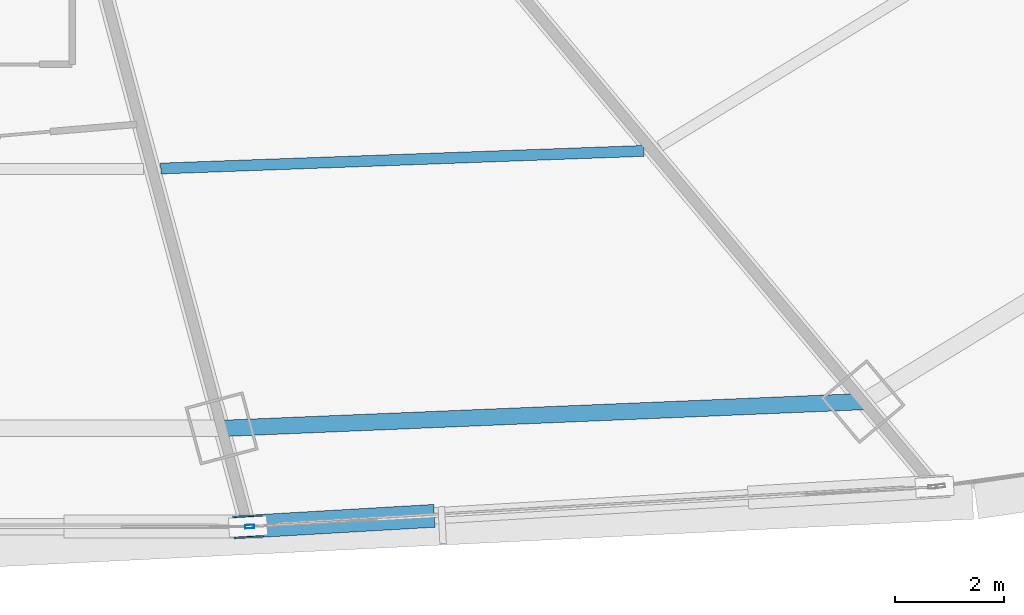
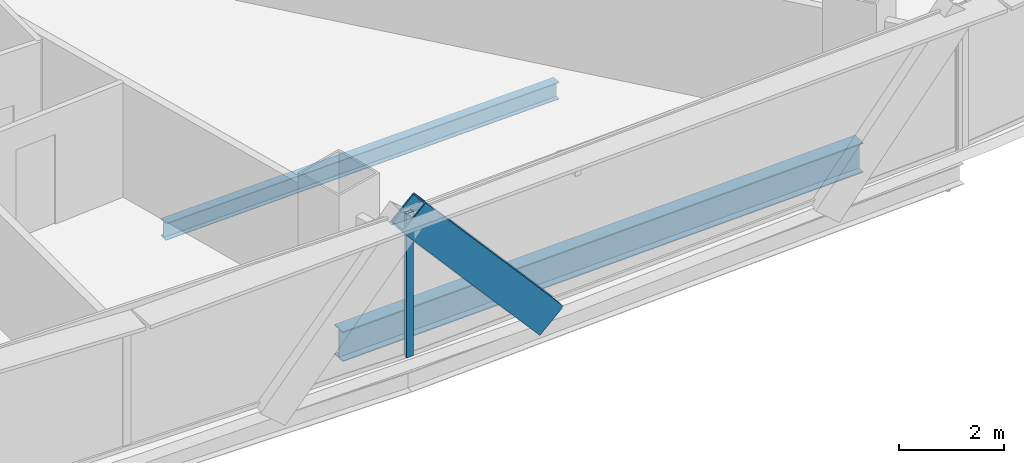
# One storey, part 10 of 38: 2 beams, 2 members, 1 element without a shape of its own.
"""IFC4 building model written with IfcOpenShell, lengths in metres."""

from ifc_helpers import new_model, si_unit, direction, frame, origin, origin_2d, place, context, subcontext, project, spatial, hollow_rectangle, i_section, extrude, source, transform, mapped, material, layer, layer_set, material_profile, profile_set, type_object, element, aggregate, save


model = new_model("IFC4")

# Units and contexts
model_context = context("Model", 3, precision=1e-05, world=origin(), true_north=direction((0.0, 1.0)))
body_context = subcontext(model_context, "Body", "Model", "MODEL_VIEW")
ifc_project = project(units=[si_unit("LENGTHUNIT", "METRE"), si_unit("AREAUNIT", "SQUARE_METRE"), si_unit("VOLUMEUNIT", "CUBIC_METRE"), si_unit("PLANEANGLEUNIT", "RADIAN"), si_unit("MASSUNIT", "GRAM", prefix="KILO"), si_unit("THERMODYNAMICTEMPERATUREUNIT", "KELVIN"), si_unit("POWERUNIT", "WATT")], contexts=[model_context])

# Site, building, storey
site_placement = place(None, origin())
site = spatial("IfcSite", under=ifc_project, at=site_placement, CompositionType="ELEMENT")
building_placement = place(site_placement, origin())
building = spatial("IfcBuilding", under=site, at=building_placement, Name="Yunzhuo Pagoda Commons", CompositionType="ELEMENT")
storey_placement = place(building_placement, frame((0.0, 0.0, 30.39990234375)))
storey = spatial("IfcBuildingStorey", under=building, at=storey_placement, Name="L07", CompositionType="ELEMENT", Elevation=30.39990234375)

# Beams
ifc_material_1 = material(Name="Structural steel Q355B", Category="steel")
ifc_material_profile_1 = material_profile(ifc_material_1, i_section(OverallWidth=0.300048828125, OverallDepth=0.699951171875, WebThickness=0.012939453125, FlangeThickness=0.02392578125, at=origin_2d()), Name="Structural steel Q355B")
ifc_profile_set_1 = profile_set([ifc_material_profile_1], Name="Structural steel Q355B")
beam_type_1 = type_object("IfcBeamType", Name="B-RG1 Beam HN 700x300x13x24", PredefinedType="BEAM", material=ifc_profile_set_1)
shared_shape_1 = source(origin(), body_context, "Body", "SweptSolid", [
    extrude(i_section(OverallWidth=0.300048828125, OverallDepth=0.699951171875, WebThickness=0.012939453125, FlangeThickness=0.02392578125, at=origin_2d()), origin(), (0.0, 0.0, 1.0), 11.7900390625),
])
beam_1_placement = place(storey_placement, frame((53.72021484375, 12.35205078125, -0.60986328125), z_axis=(0.99912739354, 0.041766631146, 0.0), x_axis=(-0.041766631146, 0.99912739354, 0.0)))
element("IfcBeam", 1, at=beam_1_placement, inside=storey, type_object=beam_type_1, Name="L07 column-ring beam 3", PredefinedType="BEAM", context=body_context, shape_type="MappedRepresentation", body=[
    mapped(shared_shape_1, transform((0.0, 0.0, 0.0), scale=1.0)),
])
ifc_material_profile_2 = material_profile(ifc_material_1, i_section(OverallWidth=0.199951171875, OverallDepth=0.39990234375, WebThickness=0.008056640625, FlangeThickness=0.012939453125, at=origin_2d()), Name="Structural steel Q355B")
ifc_profile_set_2 = profile_set([ifc_material_profile_2], Name="Structural steel Q355B")
beam_type_2 = type_object("IfcBeamType", Name="B-JS1 Joist HN 400x200x8x13", PredefinedType="JOIST", material=ifc_profile_set_2)
shared_shape_2 = source(origin(), body_context, "Body", "SweptSolid", [
    extrude(i_section(OverallWidth=0.199951171875, OverallDepth=0.39990234375, WebThickness=0.008056640625, FlangeThickness=0.012939453125, at=origin_2d()), origin(), (0.0, 0.0, 1.0), 8.876953125),
])
beam_2_placement = place(storey_placement, frame((52.601806640625, 17.125, -0.4599609375), z_axis=(0.999335806416, 0.036440993601, 0.0), x_axis=(-0.036440993601, 0.999335806416, 0.0)))
element("IfcBeam", 2, at=beam_2_placement, inside=storey, type_object=beam_type_2, Name="L07 composite ring joist 2.3", PredefinedType="JOIST", context=body_context, shape_type="MappedRepresentation", body=[
    mapped(shared_shape_2, transform((0.0, 0.0, 0.0), scale=1.0)),
])

# Member
ifc_material_2 = material(Name="Structural steel Q420B", Category="steel")
ifc_material_profile_3 = material_profile(ifc_material_2, hollow_rectangle(XDim=0.419921875, YDim=0.719970703125, WallThickness=0.028076171875, at=origin_2d()), Name="Structural steel Q420B")
ifc_profile_set_3 = profile_set([ifc_material_profile_3], Name="Structural steel Q420B")
member_type_1 = type_object("IfcMemberType", Name="M-DL1 Brace BOX 720x420x28", PredefinedType="BRACE", material=ifc_profile_set_3)
shared_shape_3 = source(origin(), body_context, "Body", "SweptSolid", [
    extrude(hollow_rectangle(XDim=0.419921875, YDim=0.719970703125, WallThickness=0.028076171875, at=origin_2d()), origin(), (0.0, 0.0, 1.0), 4.8115234375),
])
member_1_placement = place(storey_placement, frame((57.35595703125, 10.73095703125, -0.260009765625), z_axis=(-0.655171841053, -0.038005243878, 0.754523333058), x_axis=(0.05791070349, -0.998321766978, 0.0)))
element("IfcMember", 3, at=member_1_placement, inside=storey, type_object=member_type_1, Name="L07 facade diamond brace F1.3L", PredefinedType="BRACE", context=body_context, shape_type="MappedRepresentation", body=[
    mapped(shared_shape_3, transform((0.0, 0.0, 0.0), scale=1.0)),
])

# Curtain wall, member
ifc_material_3 = material(Name="Anodized aluminium 6063-T6", Category="aluminium")
ifc_layer = layer(ifc_material_3, 0.1650390625)
ifc_layer_set = layer_set([ifc_layer], Name="Anodized aluminium 6063-T6")
curtain_wall_type = type_object("IfcCurtainWallType", Name="CW-LOW Low-Zone Ribbon Curtain Wall", PredefinedType="NOTDEFINED", material=ifc_layer_set)
curtain_wall_placement = place(storey_placement, origin())
curtain_wall = element("IfcCurtainWall", 4, at=curtain_wall_placement, inside=storey, type_object=curtain_wall_type, Name="L07 curtain wall CW-L07-F1B4", PredefinedType="NOTDEFINED")
ifc_material_profile_4 = material_profile(ifc_material_3, hollow_rectangle(XDim=0.06494140625, YDim=0.1650390625, WallThickness=0.00390625, at=origin_2d()), Name="Anodized aluminium 6063-T6")
ifc_profile_set_4 = profile_set([ifc_material_profile_4], Name="Anodized aluminium 6063-T6")
member_type_2 = type_object("IfcMemberType", Name="CW-LOW-M Mullion RHS 165x65x4", PredefinedType="MULLION", material=ifc_profile_set_4)
shared_shape_4 = source(origin(), body_context, "Body", "SweptSolid", [
    extrude(hollow_rectangle(XDim=0.06494140625, YDim=0.1650390625, WallThickness=0.00390625, at=origin_2d()), origin(), (0.0, 0.0, 1.0), 3.370361328125),
])
member_2_placement = place(storey_placement, frame((54.23583984375, 10.550048828125, 0.0), z_axis=(0.0, 0.0, 1.0), x_axis=(-0.05789866519, 0.998322465223, 0.0)))
member_2 = element("IfcMember", 5, at=member_2_placement, type_object=member_type_2, Name="CW mullion 1", PredefinedType="MULLION", context=body_context, shape_type="MappedRepresentation", body=[
    mapped(shared_shape_4, transform((0.0, 0.0, 0.0), scale=1.0)),
])
aggregate(curtain_wall, [member_2])

save(model, "model.ifc")
